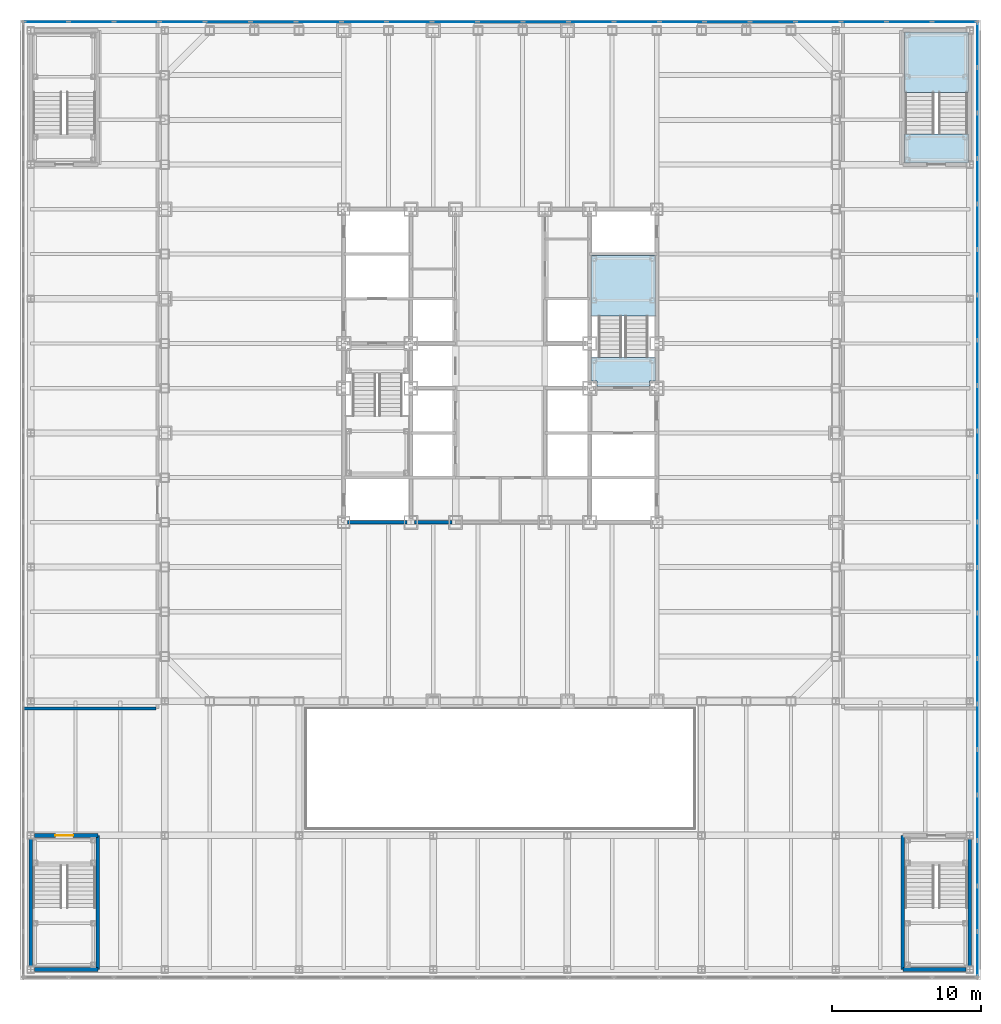
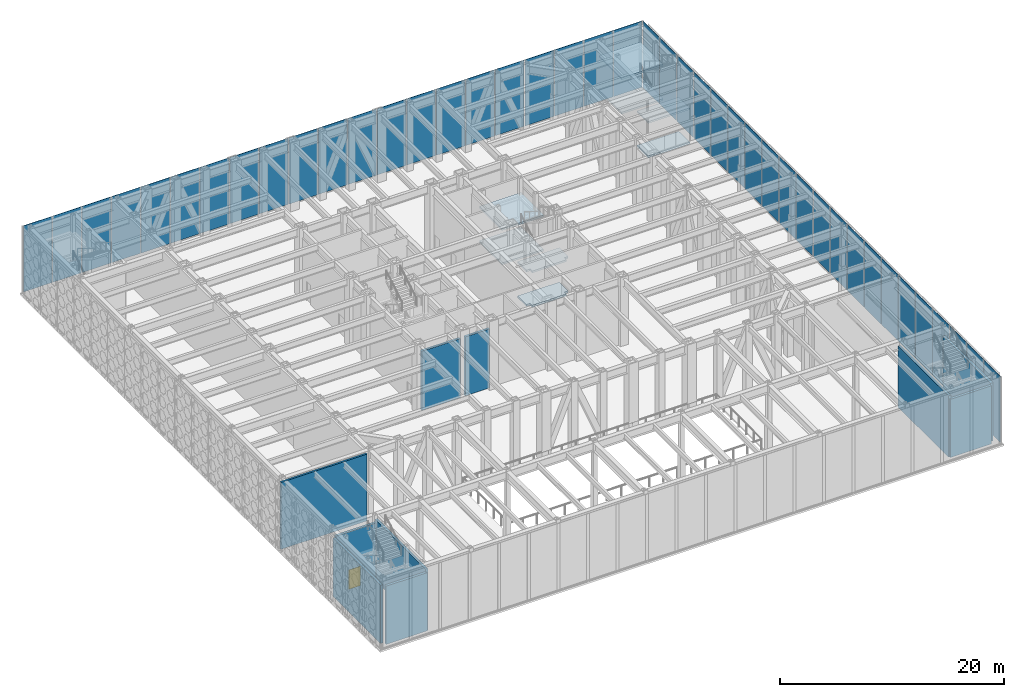
# One storey, part 14 of 34: 42 plates, 10 walls, 8 slabs, 1 door, 1 opening, 4 elements without a shape of their own.
"""IFC4 building model written with IfcOpenShell, lengths in metres."""

from ifc_helpers import new_model, si_unit, direction, frame, frame_2d, origin, origin_2d, place, context, subcontext, project, spatial, polyline, rectangle, outline, extrude, material, layer, layer_set, type_object, element, fill, aggregate, save


model = new_model("IFC4")

# Units and contexts
model_context = context("Model", 3, precision=1e-05, world=origin(), true_north=direction((0.0, 1.0)))
body_context = subcontext(model_context, "Body", "Model", "MODEL_VIEW")
ifc_project = project(units=[si_unit("LENGTHUNIT", "METRE"), si_unit("AREAUNIT", "SQUARE_METRE"), si_unit("VOLUMEUNIT", "CUBIC_METRE"), si_unit("PLANEANGLEUNIT", "RADIAN"), si_unit("MASSUNIT", "GRAM", prefix="KILO")], contexts=[model_context])

# Site, building, storey
site_placement = place(None, origin())
site = spatial("IfcSite", under=ifc_project, at=site_placement, CompositionType="ELEMENT")
building_placement = place(site_placement, origin())
building = spatial("IfcBuilding", under=site, at=building_placement, Name="Chuquiago Exchange Tower", CompositionType="ELEMENT")
storey_placement = place(building_placement, frame((0.0, 0.0, 6.0)))
storey = spatial("IfcBuildingStorey", under=building, at=storey_placement, Name="L01", CompositionType="ELEMENT", Elevation=6.0)

# Curtain wall, plates
ifc_material_1 = material(Name="Aluminium curtain wall system", Category="aluminium")
ifc_layer_1 = layer(ifc_material_1, 0.300048828125)
ifc_layer_set_1 = layer_set([ifc_layer_1], Name="CW4 podium curtain wall")
curtain_wall_type = type_object("IfcCurtainWallType", Name="CW4 podium curtain wall", PredefinedType="NOTDEFINED", material=ifc_layer_set_1)
curtain_wall_1_placement = place(storey_placement, origin())
curtain_wall_1 = element("IfcCurtainWall", 1, at=curtain_wall_1_placement, inside=storey, type_object=curtain_wall_type, Name="CW4 curtain wall L01", PredefinedType="NOTDEFINED")
ifc_material_2 = material(Name="Glass, insulating unit", Category="glass")
ifc_layer_2 = layer(ifc_material_2, 0.035888671875)
ifc_layer_set_2 = layer_set([ifc_layer_2], Name="CW4-P panel 36")
plate_type_1 = type_object("IfcPlateType", Name="CW4-P panel 36", PredefinedType="CURTAIN_PANEL", material=ifc_layer_set_2)
plate_1_placement = place(storey_placement, frame((54.5, -16.95556640625, 0.074951171875), z_axis=(0.0, 0.0, 1.0), x_axis=(0.0, 1.0, 0.0)))
plate_1 = element("IfcPlate", 2, at=plate_1_placement, type_object=plate_type_1, Name="CW4 panel 1.1", PredefinedType="CURTAIN_PANEL", context=body_context, shape_type="SweptSolid", body=[
    extrude(rectangle(XDim=2.938720703125, YDim=0.035888671875, at=origin_2d()), origin(), (0.0, 0.0, 1.0), 7.22509765625),
])
plate_2_placement = place(storey_placement, frame((54.5, -13.923095703125, 0.074951171875), z_axis=(0.0, 0.0, 1.0), x_axis=(0.0, 1.0, 0.0)))
plate_2 = element("IfcPlate", 3, at=plate_2_placement, type_object=plate_type_1, Name="CW4 panel 2.1", PredefinedType="CURTAIN_PANEL", context=body_context, shape_type="SweptSolid", body=[
    extrude(rectangle(XDim=2.97607421875, YDim=0.035888671875, at=origin_2d()), origin(), (0.0, 0.0, 1.0), 7.22509765625),
])
plate_3_placement = place(storey_placement, frame((54.5, -10.8720703125, 0.074951171875), z_axis=(0.0, 0.0, 1.0), x_axis=(0.0, 1.0, 0.0)))
plate_3 = element("IfcPlate", 4, at=plate_3_placement, type_object=plate_type_1, Name="CW4 panel 3.1", PredefinedType="CURTAIN_PANEL", context=body_context, shape_type="SweptSolid", body=[
    extrude(rectangle(XDim=2.97607421875, YDim=0.035888671875, at=origin_2d()), origin(), (0.0, 0.0, 1.0), 7.22509765625),
])
plate_4_placement = place(storey_placement, frame((54.5, -7.82080078125, 0.074951171875), z_axis=(0.0, 0.0, 1.0), x_axis=(0.0, 1.0, 0.0)))
plate_4 = element("IfcPlate", 5, at=plate_4_placement, type_object=plate_type_1, Name="CW4 panel 4.1", PredefinedType="CURTAIN_PANEL", context=body_context, shape_type="SweptSolid", body=[
    extrude(rectangle(XDim=2.97607421875, YDim=0.035888671875, at=origin_2d()), origin(), (0.0, 0.0, 1.0), 7.22509765625),
])
plate_5_placement = place(storey_placement, frame((54.5, -4.76953125, 0.074951171875), z_axis=(0.0, 0.0, 1.0), x_axis=(0.0, 1.0, 0.0)))
plate_5 = element("IfcPlate", 6, at=plate_5_placement, type_object=plate_type_1, Name="CW4 panel 5.1", PredefinedType="CURTAIN_PANEL", context=body_context, shape_type="SweptSolid", body=[
    extrude(rectangle(XDim=2.97607421875, YDim=0.035888671875, at=origin_2d()), origin(), (0.0, 0.0, 1.0), 7.22509765625),
])
plate_6_placement = place(storey_placement, frame((54.5, -1.718505859375, 0.074951171875), z_axis=(0.0, 0.0, 1.0), x_axis=(0.0, 1.0, 0.0)))
plate_6 = element("IfcPlate", 7, at=plate_6_placement, type_object=plate_type_1, Name="CW4 panel 6.1", PredefinedType="CURTAIN_PANEL", context=body_context, shape_type="SweptSolid", body=[
    extrude(rectangle(XDim=2.97607421875, YDim=0.035888671875, at=origin_2d()), origin(), (0.0, 0.0, 1.0), 7.22509765625),
])
plate_7_placement = place(storey_placement, frame((54.5, 1.332763671875, 0.074951171875), z_axis=(0.0, 0.0, 1.0), x_axis=(0.0, 1.0, 0.0)))
plate_7 = element("IfcPlate", 8, at=plate_7_placement, type_object=plate_type_1, Name="CW4 panel 7.1", PredefinedType="CURTAIN_PANEL", context=body_context, shape_type="SweptSolid", body=[
    extrude(rectangle(XDim=2.97607421875, YDim=0.035888671875, at=origin_2d()), origin(), (0.0, 0.0, 1.0), 7.22509765625),
])
plate_8_placement = place(storey_placement, frame((54.5, 4.384033203125, 0.074951171875), z_axis=(0.0, 0.0, 1.0), x_axis=(0.0, 1.0, 0.0)))
plate_8 = element("IfcPlate", 9, at=plate_8_placement, type_object=plate_type_1, Name="CW4 panel 8.1", PredefinedType="CURTAIN_PANEL", context=body_context, shape_type="SweptSolid", body=[
    extrude(rectangle(XDim=2.97607421875, YDim=0.035888671875, at=origin_2d()), origin(), (0.0, 0.0, 1.0), 7.22509765625),
])
plate_9_placement = place(storey_placement, frame((54.5, 7.43505859375, 0.074951171875), z_axis=(0.0, 0.0, 1.0), x_axis=(0.0, 1.0, 0.0)))
plate_9 = element("IfcPlate", 10, at=plate_9_placement, type_object=plate_type_1, Name="CW4 panel 9.1", PredefinedType="CURTAIN_PANEL", context=body_context, shape_type="SweptSolid", body=[
    extrude(rectangle(XDim=2.97607421875, YDim=0.035888671875, at=origin_2d()), origin(), (0.0, 0.0, 1.0), 7.22509765625),
])
plate_10_placement = place(storey_placement, frame((54.5, 10.486328125, 0.074951171875), z_axis=(0.0, 0.0, 1.0), x_axis=(0.0, 1.0, 0.0)))
plate_10 = element("IfcPlate", 11, at=plate_10_placement, type_object=plate_type_1, Name="CW4 panel 10.1", PredefinedType="CURTAIN_PANEL", context=body_context, shape_type="SweptSolid", body=[
    extrude(rectangle(XDim=2.97607421875, YDim=0.035888671875, at=origin_2d()), origin(), (0.0, 0.0, 1.0), 7.22509765625),
])
plate_11_placement = place(storey_placement, frame((54.5, 13.53759765625, 0.074951171875), z_axis=(0.0, 0.0, 1.0), x_axis=(0.0, 1.0, 0.0)))
plate_11 = element("IfcPlate", 12, at=plate_11_placement, type_object=plate_type_1, Name="CW4 panel 11.1", PredefinedType="CURTAIN_PANEL", context=body_context, shape_type="SweptSolid", body=[
    extrude(rectangle(XDim=2.97607421875, YDim=0.035888671875, at=origin_2d()), origin(), (0.0, 0.0, 1.0), 7.22509765625),
])
plate_12_placement = place(storey_placement, frame((54.5, 16.588623046875, 0.074951171875), z_axis=(0.0, 0.0, 1.0), x_axis=(0.0, 1.0, 0.0)))
plate_12 = element("IfcPlate", 13, at=plate_12_placement, type_object=plate_type_1, Name="CW4 panel 12.1", PredefinedType="CURTAIN_PANEL", context=body_context, shape_type="SweptSolid", body=[
    extrude(rectangle(XDim=2.97607421875, YDim=0.035888671875, at=origin_2d()), origin(), (0.0, 0.0, 1.0), 7.22509765625),
])
plate_13_placement = place(storey_placement, frame((54.5, 19.639892578125, 0.074951171875), z_axis=(0.0, 0.0, 1.0), x_axis=(0.0, 1.0, 0.0)))
plate_13 = element("IfcPlate", 14, at=plate_13_placement, type_object=plate_type_1, Name="CW4 panel 13.1", PredefinedType="CURTAIN_PANEL", context=body_context, shape_type="SweptSolid", body=[
    extrude(rectangle(XDim=2.97607421875, YDim=0.035888671875, at=origin_2d()), origin(), (0.0, 0.0, 1.0), 7.22509765625),
])
plate_14_placement = place(storey_placement, frame((54.5, 22.691162109375, 0.074951171875), z_axis=(0.0, 0.0, 1.0), x_axis=(0.0, 1.0, 0.0)))
plate_14 = element("IfcPlate", 15, at=plate_14_placement, type_object=plate_type_1, Name="CW4 panel 14.1", PredefinedType="CURTAIN_PANEL", context=body_context, shape_type="SweptSolid", body=[
    extrude(rectangle(XDim=2.97607421875, YDim=0.035888671875, at=origin_2d()), origin(), (0.0, 0.0, 1.0), 7.22509765625),
])
plate_15_placement = place(storey_placement, frame((54.5, 25.7421875, 0.074951171875), z_axis=(0.0, 0.0, 1.0), x_axis=(0.0, 1.0, 0.0)))
plate_15 = element("IfcPlate", 16, at=plate_15_placement, type_object=plate_type_1, Name="CW4 panel 15.1", PredefinedType="CURTAIN_PANEL", context=body_context, shape_type="SweptSolid", body=[
    extrude(rectangle(XDim=2.97607421875, YDim=0.035888671875, at=origin_2d()), origin(), (0.0, 0.0, 1.0), 7.22509765625),
])
plate_16_placement = place(storey_placement, frame((54.5, 28.79345703125, 0.074951171875), z_axis=(0.0, 0.0, 1.0), x_axis=(0.0, 1.0, 0.0)))
plate_16 = element("IfcPlate", 17, at=plate_16_placement, type_object=plate_type_1, Name="CW4 panel 16.1", PredefinedType="CURTAIN_PANEL", context=body_context, shape_type="SweptSolid", body=[
    extrude(rectangle(XDim=2.97607421875, YDim=0.035888671875, at=origin_2d()), origin(), (0.0, 0.0, 1.0), 7.22509765625),
])
plate_17_placement = place(storey_placement, frame((54.5, 31.8447265625, 0.074951171875), z_axis=(0.0, 0.0, 1.0), x_axis=(0.0, 1.0, 0.0)))
plate_17 = element("IfcPlate", 18, at=plate_17_placement, type_object=plate_type_1, Name="CW4 panel 17.1", PredefinedType="CURTAIN_PANEL", context=body_context, shape_type="SweptSolid", body=[
    extrude(rectangle(XDim=2.97607421875, YDim=0.035888671875, at=origin_2d()), origin(), (0.0, 0.0, 1.0), 7.22509765625),
])
plate_18_placement = place(storey_placement, frame((54.5, 34.895751953125, 0.074951171875), z_axis=(0.0, 0.0, 1.0), x_axis=(0.0, 1.0, 0.0)))
plate_18 = element("IfcPlate", 19, at=plate_18_placement, type_object=plate_type_1, Name="CW4 panel 18.1", PredefinedType="CURTAIN_PANEL", context=body_context, shape_type="SweptSolid", body=[
    extrude(rectangle(XDim=2.97607421875, YDim=0.035888671875, at=origin_2d()), origin(), (0.0, 0.0, 1.0), 7.22509765625),
])
plate_19_placement = place(storey_placement, frame((54.5, 37.947021484375, 0.074951171875), z_axis=(0.0, 0.0, 1.0), x_axis=(0.0, 1.0, 0.0)))
plate_19 = element("IfcPlate", 20, at=plate_19_placement, type_object=plate_type_1, Name="CW4 panel 19.1", PredefinedType="CURTAIN_PANEL", context=body_context, shape_type="SweptSolid", body=[
    extrude(rectangle(XDim=2.97607421875, YDim=0.035888671875, at=origin_2d()), origin(), (0.0, 0.0, 1.0), 7.22509765625),
])
plate_20_placement = place(storey_placement, frame((54.5, 40.998291015625, 0.074951171875), z_axis=(0.0, 0.0, 1.0), x_axis=(0.0, 1.0, 0.0)))
plate_20 = element("IfcPlate", 21, at=plate_20_placement, type_object=plate_type_1, Name="CW4 panel 20.1", PredefinedType="CURTAIN_PANEL", context=body_context, shape_type="SweptSolid", body=[
    extrude(rectangle(XDim=2.97607421875, YDim=0.035888671875, at=origin_2d()), origin(), (0.0, 0.0, 1.0), 7.22509765625),
])
plate_21_placement = place(storey_placement, frame((54.5, 44.03076171875, 0.074951171875), z_axis=(0.0, 0.0, 1.0), x_axis=(0.0, 1.0, 0.0)))
plate_21 = element("IfcPlate", 22, at=plate_21_placement, type_object=plate_type_1, Name="CW4 panel 21.1", PredefinedType="CURTAIN_PANEL", context=body_context, shape_type="SweptSolid", body=[
    extrude(rectangle(XDim=2.938720703125, YDim=0.035888671875, at=origin_2d()), origin(), (0.0, 0.0, 1.0), 7.22509765625),
])
aggregate(curtain_wall_1, [plate_1, plate_2, plate_3, plate_4, plate_5, plate_6, plate_7, plate_8, plate_9, plate_10, plate_11, plate_12, plate_13, plate_14, plate_15, plate_16, plate_17, plate_18, plate_19, plate_20, plate_21])

curtain_wall_2_placement = place(storey_placement, origin())
curtain_wall_2 = element("IfcCurtainWall", 23, at=curtain_wall_2_placement, inside=storey, type_object=curtain_wall_type, Name="CW4 curtain wall L01", PredefinedType="NOTDEFINED")
plate_22_placement = place(storey_placement, frame((52.95751953125, 45.574951171875, 0.074951171875), z_axis=(0.0, 0.0, 1.0), x_axis=(-1.0, 0.0, 0.0)))
plate_22 = element("IfcPlate", 24, at=plate_22_placement, type_object=plate_type_1, Name="CW4 panel 1.1", PredefinedType="CURTAIN_PANEL", context=body_context, shape_type="SweptSolid", body=[
    extrude(rectangle(XDim=2.93505859375, YDim=0.035888671875, at=origin_2d()), origin(), (0.0, 0.0, 1.0), 7.22509765625),
])
plate_23_placement = place(storey_placement, frame((49.928466796875, 45.574951171875, 0.074951171875), z_axis=(0.0, 0.0, 1.0), x_axis=(-1.0, 0.0, 0.0)))
plate_23 = element("IfcPlate", 25, at=plate_23_placement, type_object=plate_type_1, Name="CW4 panel 2.1", PredefinedType="CURTAIN_PANEL", context=body_context, shape_type="SweptSolid", body=[
    extrude(rectangle(XDim=2.97265625, YDim=0.035888671875, at=origin_2d()), origin(), (0.0, 0.0, 1.0), 7.22509765625),
])
plate_24_placement = place(storey_placement, frame((46.880859375, 45.574951171875, 0.074951171875), z_axis=(0.0, 0.0, 1.0), x_axis=(-1.0, 0.0, 0.0)))
plate_24 = element("IfcPlate", 26, at=plate_24_placement, type_object=plate_type_1, Name="CW4 panel 3.1", PredefinedType="CURTAIN_PANEL", context=body_context, shape_type="SweptSolid", body=[
    extrude(rectangle(XDim=2.97265625, YDim=0.035888671875, at=origin_2d()), origin(), (0.0, 0.0, 1.0), 7.22509765625),
])
plate_25_placement = place(storey_placement, frame((43.833251953125, 45.574951171875, 0.074951171875), z_axis=(0.0, 0.0, 1.0), x_axis=(-1.0, 0.0, 0.0)))
plate_25 = element("IfcPlate", 27, at=plate_25_placement, type_object=plate_type_1, Name="CW4 panel 4.1", PredefinedType="CURTAIN_PANEL", context=body_context, shape_type="SweptSolid", body=[
    extrude(rectangle(XDim=2.97265625, YDim=0.035888671875, at=origin_2d()), origin(), (0.0, 0.0, 1.0), 7.22509765625),
])
plate_26_placement = place(storey_placement, frame((31.642822265625, 45.574951171875, 0.074951171875), z_axis=(0.0, 0.0, 1.0), x_axis=(-1.0, 0.0, 0.0)))
plate_26 = element("IfcPlate", 28, at=plate_26_placement, type_object=plate_type_1, Name="CW4 panel 8.1", PredefinedType="CURTAIN_PANEL", context=body_context, shape_type="SweptSolid", body=[
    extrude(rectangle(XDim=2.97265625, YDim=0.035888671875, at=origin_2d()), origin(), (0.0, 0.0, 1.0), 7.22509765625),
])
plate_27_placement = place(storey_placement, frame((28.59521484375, 45.574951171875, 0.074951171875), z_axis=(0.0, 0.0, 1.0), x_axis=(-1.0, 0.0, 0.0)))
plate_27 = element("IfcPlate", 29, at=plate_27_placement, type_object=plate_type_1, Name="CW4 panel 9.1", PredefinedType="CURTAIN_PANEL", context=body_context, shape_type="SweptSolid", body=[
    extrude(rectangle(XDim=2.97265625, YDim=0.035888671875, at=origin_2d()), origin(), (0.0, 0.0, 1.0), 7.22509765625),
])
plate_28_placement = place(storey_placement, frame((19.452392578125, 45.574951171875, 0.074951171875), z_axis=(0.0, 0.0, 1.0), x_axis=(-1.0, 0.0, 0.0)))
plate_28 = element("IfcPlate", 30, at=plate_28_placement, type_object=plate_type_1, Name="CW4 panel 12.1", PredefinedType="CURTAIN_PANEL", context=body_context, shape_type="SweptSolid", body=[
    extrude(rectangle(XDim=2.97265625, YDim=0.035888671875, at=origin_2d()), origin(), (0.0, 0.0, 1.0), 7.22509765625),
])
plate_29_placement = place(storey_placement, frame((16.40478515625, 45.574951171875, 0.074951171875), z_axis=(0.0, 0.0, 1.0), x_axis=(-1.0, 0.0, 0.0)))
plate_29 = element("IfcPlate", 31, at=plate_29_placement, type_object=plate_type_1, Name="CW4 panel 13.1", PredefinedType="CURTAIN_PANEL", context=body_context, shape_type="SweptSolid", body=[
    extrude(rectangle(XDim=2.97265625, YDim=0.035888671875, at=origin_2d()), origin(), (0.0, 0.0, 1.0), 7.22509765625),
])
plate_30_placement = place(storey_placement, frame((13.357177734375, 45.574951171875, 0.074951171875), z_axis=(0.0, 0.0, 1.0), x_axis=(-1.0, 0.0, 0.0)))
plate_30 = element("IfcPlate", 32, at=plate_30_placement, type_object=plate_type_1, Name="CW4 panel 14.1", PredefinedType="CURTAIN_PANEL", context=body_context, shape_type="SweptSolid", body=[
    extrude(rectangle(XDim=2.97265625, YDim=0.035888671875, at=origin_2d()), origin(), (0.0, 0.0, 1.0), 7.22509765625),
])
plate_31_placement = place(storey_placement, frame((1.166748046875, 45.574951171875, 0.074951171875), z_axis=(0.0, 0.0, 1.0), x_axis=(-1.0, 0.0, 0.0)))
plate_31 = element("IfcPlate", 33, at=plate_31_placement, type_object=plate_type_1, Name="CW4 panel 18.1", PredefinedType="CURTAIN_PANEL", context=body_context, shape_type="SweptSolid", body=[
    extrude(rectangle(XDim=2.97265625, YDim=0.035888671875, at=origin_2d()), origin(), (0.0, 0.0, 1.0), 7.22509765625),
])
plate_32_placement = place(storey_placement, frame((-1.880859375, 45.574951171875, 0.074951171875), z_axis=(0.0, 0.0, 1.0), x_axis=(-1.0, 0.0, 0.0)))
plate_32 = element("IfcPlate", 34, at=plate_32_placement, type_object=plate_type_1, Name="CW4 panel 19.1", PredefinedType="CURTAIN_PANEL", context=body_context, shape_type="SweptSolid", body=[
    extrude(rectangle(XDim=2.97265625, YDim=0.035888671875, at=origin_2d()), origin(), (0.0, 0.0, 1.0), 7.22509765625),
])
plate_33_placement = place(storey_placement, frame((-4.928466796875, 45.574951171875, 0.074951171875), z_axis=(0.0, 0.0, 1.0), x_axis=(-1.0, 0.0, 0.0)))
plate_33 = element("IfcPlate", 35, at=plate_33_placement, type_object=plate_type_1, Name="CW4 panel 20.1", PredefinedType="CURTAIN_PANEL", context=body_context, shape_type="SweptSolid", body=[
    extrude(rectangle(XDim=2.97265625, YDim=0.035888671875, at=origin_2d()), origin(), (0.0, 0.0, 1.0), 7.22509765625),
])
plate_34_placement = place(storey_placement, frame((-7.95751953125, 45.574951171875, 0.074951171875), z_axis=(0.0, 0.0, 1.0), x_axis=(-1.0, 0.0, 0.0)))
plate_34 = element("IfcPlate", 36, at=plate_34_placement, type_object=plate_type_1, Name="CW4 panel 21.1", PredefinedType="CURTAIN_PANEL", context=body_context, shape_type="SweptSolid", body=[
    extrude(rectangle(XDim=2.93505859375, YDim=0.035888671875, at=origin_2d()), origin(), (0.0, 0.0, 1.0), 7.22509765625),
])
ifc_material_3 = material(Name="Insulated spandrel panel, pale anodised aluminium", Category="aluminium")
ifc_layer_3 = layer(ifc_material_3, 0.035888671875)
ifc_layer_set_3 = layer_set([ifc_layer_3], Name="CW4-P spandrel panel 36")
plate_type_2 = type_object("IfcPlateType", Name="CW4-P spandrel panel 36", PredefinedType="CURTAIN_PANEL", material=ifc_layer_set_3)
plate_35_placement = place(storey_placement, frame((40.78564453125, 45.574951171875, 0.074951171875), z_axis=(0.0, 0.0, 1.0), x_axis=(-1.0, 0.0, 0.0)))
plate_35 = element("IfcPlate", 37, at=plate_35_placement, type_object=plate_type_2, Name="CW4 panel 5.1", PredefinedType="CURTAIN_PANEL", context=body_context, shape_type="SweptSolid", body=[
    extrude(rectangle(XDim=2.97265625, YDim=0.035888671875, at=origin_2d()), origin(), (0.0, 0.0, 1.0), 7.22509765625),
])
plate_36_placement = place(storey_placement, frame((37.738037109375, 45.574951171875, 0.074951171875), z_axis=(0.0, 0.0, 1.0), x_axis=(-1.0, 0.0, 0.0)))
plate_36 = element("IfcPlate", 38, at=plate_36_placement, type_object=plate_type_2, Name="CW4 panel 6.1", PredefinedType="CURTAIN_PANEL", context=body_context, shape_type="SweptSolid", body=[
    extrude(rectangle(XDim=2.97265625, YDim=0.035888671875, at=origin_2d()), origin(), (0.0, 0.0, 1.0), 7.22509765625),
])
plate_37_placement = place(storey_placement, frame((34.6904296875, 45.574951171875, 0.074951171875), z_axis=(0.0, 0.0, 1.0), x_axis=(-1.0, 0.0, 0.0)))
plate_37 = element("IfcPlate", 39, at=plate_37_placement, type_object=plate_type_2, Name="CW4 panel 7.1", PredefinedType="CURTAIN_PANEL", context=body_context, shape_type="SweptSolid", body=[
    extrude(rectangle(XDim=2.97265625, YDim=0.035888671875, at=origin_2d()), origin(), (0.0, 0.0, 1.0), 7.22509765625),
])
plate_38_placement = place(storey_placement, frame((25.547607421875, 45.574951171875, 0.074951171875), z_axis=(0.0, 0.0, 1.0), x_axis=(-1.0, 0.0, 0.0)))
plate_38 = element("IfcPlate", 40, at=plate_38_placement, type_object=plate_type_2, Name="CW4 panel 10.1", PredefinedType="CURTAIN_PANEL", context=body_context, shape_type="SweptSolid", body=[
    extrude(rectangle(XDim=2.97265625, YDim=0.035888671875, at=origin_2d()), origin(), (0.0, 0.0, 1.0), 7.22509765625),
])
plate_39_placement = place(storey_placement, frame((22.5, 45.574951171875, 0.074951171875), z_axis=(0.0, 0.0, 1.0), x_axis=(-1.0, 0.0, 0.0)))
plate_39 = element("IfcPlate", 41, at=plate_39_placement, type_object=plate_type_2, Name="CW4 panel 11.1", PredefinedType="CURTAIN_PANEL", context=body_context, shape_type="SweptSolid", body=[
    extrude(rectangle(XDim=2.97265625, YDim=0.035888671875, at=origin_2d()), origin(), (0.0, 0.0, 1.0), 7.22509765625),
])
plate_40_placement = place(storey_placement, frame((10.3095703125, 45.574951171875, 0.074951171875), z_axis=(0.0, 0.0, 1.0), x_axis=(-1.0, 0.0, 0.0)))
plate_40 = element("IfcPlate", 42, at=plate_40_placement, type_object=plate_type_2, Name="CW4 panel 15.1", PredefinedType="CURTAIN_PANEL", context=body_context, shape_type="SweptSolid", body=[
    extrude(rectangle(XDim=2.97265625, YDim=0.035888671875, at=origin_2d()), origin(), (0.0, 0.0, 1.0), 7.22509765625),
])
plate_41_placement = place(storey_placement, frame((7.261962890625, 45.574951171875, 0.074951171875), z_axis=(0.0, 0.0, 1.0), x_axis=(-1.0, 0.0, 0.0)))
plate_41 = element("IfcPlate", 43, at=plate_41_placement, type_object=plate_type_2, Name="CW4 panel 16.1", PredefinedType="CURTAIN_PANEL", context=body_context, shape_type="SweptSolid", body=[
    extrude(rectangle(XDim=2.97265625, YDim=0.035888671875, at=origin_2d()), origin(), (0.0, 0.0, 1.0), 7.22509765625),
])
plate_42_placement = place(storey_placement, frame((4.21435546875, 45.574951171875, 0.074951171875), z_axis=(0.0, 0.0, 1.0), x_axis=(-1.0, 0.0, 0.0)))
plate_42 = element("IfcPlate", 44, at=plate_42_placement, type_object=plate_type_2, Name="CW4 panel 17.1", PredefinedType="CURTAIN_PANEL", context=body_context, shape_type="SweptSolid", body=[
    extrude(rectangle(XDim=2.97265625, YDim=0.035888671875, at=origin_2d()), origin(), (0.0, 0.0, 1.0), 7.22509765625),
])
aggregate(curtain_wall_2, [plate_22, plate_23, plate_24, plate_25, plate_35, plate_36, plate_37, plate_26, plate_27, plate_38, plate_39, plate_28, plate_29, plate_30, plate_40, plate_41, plate_42, plate_31, plate_32, plate_33, plate_34])

# Stair, slabs
ifc_material_4 = material(Name="Concrete C30/37, precast", Category="concrete")
stair_type_1 = type_object("IfcStairType", Name="ST2 double half-turn stair 7500", PredefinedType="DOUBLE_RETURN_STAIR", material=ifc_material_4)
stair_1_placement = place(storey_placement, origin())
stair_1 = element("IfcStair", 45, at=stair_1_placement, inside=storey, type_object=stair_type_1, Name="Stair ST2 L01", PredefinedType="DOUBLE_RETURN_STAIR")
ifc_material_5 = material(Name="Concrete C30/37, precast", Category="concrete")
ifc_layer_4 = layer(ifc_material_5, 0.199951171875)
ifc_layer_set_4 = layer_set([ifc_layer_4], Name="ST-L landing 200")
slab_type = type_object("IfcSlabType", Name="ST-L landing 200", PredefinedType="LANDING", material=ifc_layer_set_4)
slab_1_placement = place(storey_placement, frame((0.0, 0.0, -0.199951171875)))
slab_1 = element("IfcSlab", 46, at=slab_1_placement, type_object=slab_type, Name="ST2 landing 1", PredefinedType="LANDING", context=body_context, shape_type="SweptSolid", body=[
    extrude(outline(polyline([(32.52490234375, 21.47509765625), (32.52490234375, 21.10009765625), (28.97509765625, 21.10009765625), (28.97509765625, 21.47509765625), (28.60009765625, 21.47509765625), (28.60009765625, 23.050048828125), (32.89990234375, 23.050048828125), (32.89990234375, 21.47509765625), (32.52490234375, 21.47509765625)])), origin(), (0.0, 0.0, 1.0), 0.199951171875),
])
slab_2_placement = place(storey_placement, frame((0.0, 0.0, 1.675048828125)))
slab_2 = element("IfcSlab", 47, at=slab_2_placement, type_object=slab_type, Name="ST2 landing 2", PredefinedType="LANDING", context=body_context, shape_type="SweptSolid", body=[
    extrude(outline(polyline([(28.60009765625, 29.89990234375), (32.89990234375, 29.89990234375), (32.89990234375, 25.85009765625), (28.60009765625, 25.85009765625), (28.60009765625, 29.89990234375)])), origin(), (0.0, 0.0, 1.0), 0.199951171875),
])
slab_3_placement = place(storey_placement, frame((0.0, 0.0, 3.550048828125)))
slab_3 = element("IfcSlab", 48, at=slab_3_placement, type_object=slab_type, Name="ST2 landing 3", PredefinedType="LANDING", context=body_context, shape_type="SweptSolid", body=[
    extrude(outline(polyline([(32.52490234375, 21.47509765625), (32.52490234375, 21.10009765625), (28.97509765625, 21.10009765625), (28.97509765625, 21.47509765625), (28.60009765625, 21.47509765625), (28.60009765625, 23.050048828125), (32.89990234375, 23.050048828125), (32.89990234375, 21.47509765625), (32.52490234375, 21.47509765625)])), origin(), (0.0, 0.0, 1.0), 0.199951171875),
])
slab_4_placement = place(storey_placement, frame((0.0, 0.0, 5.425048828125)))
slab_4 = element("IfcSlab", 49, at=slab_4_placement, type_object=slab_type, Name="ST2 landing 4", PredefinedType="LANDING", context=body_context, shape_type="SweptSolid", body=[
    extrude(outline(polyline([(28.60009765625, 29.89990234375), (32.89990234375, 29.89990234375), (32.89990234375, 25.85009765625), (28.60009765625, 25.85009765625), (28.60009765625, 29.89990234375)])), origin(), (0.0, 0.0, 1.0), 0.199951171875),
])
aggregate(stair_1, [slab_1, slab_2, slab_3, slab_4])

ifc_material_6 = material(Name="Concrete C30/37, precast", Category="concrete")
stair_type_2 = type_object("IfcStairType", Name="PS4 double half-turn stair 7500", PredefinedType="DOUBLE_RETURN_STAIR", material=ifc_material_6)
stair_2_placement = place(storey_placement, origin())
stair_2 = element("IfcStair", 50, at=stair_2_placement, inside=storey, type_object=stair_type_2, Name="Stair PS4 L01", PredefinedType="DOUBLE_RETURN_STAIR")
slab_5_placement = place(storey_placement, frame((0.0, 0.0, -0.199951171875)))
slab_5 = element("IfcSlab", 51, at=slab_5_placement, type_object=slab_type, Name="PS4 landing 1", PredefinedType="LANDING", context=body_context, shape_type="SweptSolid", body=[
    extrude(outline(polyline([(53.89990234375, 36.10009765625), (53.89990234375, 38.050048828125), (49.60009765625, 38.050048828125), (49.60009765625, 36.10009765625), (53.89990234375, 36.10009765625)])), origin(), (0.0, 0.0, 1.0), 0.199951171875),
])
slab_6_placement = place(storey_placement, frame((0.0, 0.0, 1.675048828125)))
slab_6 = element("IfcSlab", 52, at=slab_6_placement, type_object=slab_type, Name="PS4 landing 2", PredefinedType="LANDING", context=body_context, shape_type="SweptSolid", body=[
    extrude(outline(polyline([(49.60009765625, 44.89990234375), (53.89990234375, 44.89990234375), (53.89990234375, 40.85009765625), (49.60009765625, 40.85009765625), (49.60009765625, 44.89990234375)])), origin(), (0.0, 0.0, 1.0), 0.199951171875),
])
slab_7_placement = place(storey_placement, frame((0.0, 0.0, 3.550048828125)))
slab_7 = element("IfcSlab", 53, at=slab_7_placement, type_object=slab_type, Name="PS4 landing 3", PredefinedType="LANDING", context=body_context, shape_type="SweptSolid", body=[
    extrude(outline(polyline([(49.60009765625, 38.050048828125), (53.89990234375, 38.050048828125), (53.89990234375, 36.10009765625), (49.60009765625, 36.10009765625), (49.60009765625, 38.050048828125)])), origin(), (0.0, 0.0, 1.0), 0.199951171875),
])
slab_8_placement = place(storey_placement, frame((0.0, 0.0, 5.425048828125)))
slab_8 = element("IfcSlab", 54, at=slab_8_placement, type_object=slab_type, Name="PS4 landing 4", PredefinedType="LANDING", context=body_context, shape_type="SweptSolid", body=[
    extrude(outline(polyline([(49.60009765625, 44.89990234375), (53.89990234375, 44.89990234375), (53.89990234375, 40.85009765625), (49.60009765625, 40.85009765625), (49.60009765625, 44.89990234375)])), origin(), (0.0, 0.0, 1.0), 0.199951171875),
])
aggregate(stair_2, [slab_5, slab_6, slab_7, slab_8])

# Walls
ifc_material_7 = material(Name="Concrete masonry, fully grouted", Category="masonry")
ifc_layer_5 = layer(ifc_material_7, 0.25)
ifc_layer_set_5 = layer_set([ifc_layer_5], Name="W1 core wall 250")
wall_type_1 = type_object("IfcWallType", Name="W1 core wall 250", PredefinedType="SOLIDWALL", material=ifc_layer_set_5)
wall_1_placement = place(storey_placement, frame((12.25, 12.0, 0.0), z_axis=(0.0, 0.0, 1.0), x_axis=(1.0, 0.0, 0.0)))
element("IfcWall", 55, at=wall_1_placement, inside=storey, type_object=wall_type_1, Name="CW-L01-01-0", PredefinedType="SOLIDWALL", context=body_context, shape_type="SweptSolid", body=[
    extrude(rectangle(XDim=4.0, YDim=0.25, at=frame_2d((2.0, 0.0))), origin(), (0.0, 0.0, 1.0), 6.44140625),
])
wall_2_placement = place(storey_placement, frame((16.75, 12.0, 0.0), z_axis=(0.0, 0.0, 1.0), x_axis=(1.0, 0.0, 0.0)))
element("IfcWall", 56, at=wall_2_placement, inside=storey, type_object=wall_type_1, Name="CW-L01-01-1", PredefinedType="SOLIDWALL", context=body_context, shape_type="SweptSolid", body=[
    extrude(rectangle(XDim=2.5, YDim=0.25, at=frame_2d((1.25, 0.0))), origin(), (0.0, 0.0, 1.0), 6.44140625),
])
ifc_material_8 = material(Name="Concrete masonry, fully grouted", Category="masonry")
ifc_layer_6 = layer(ifc_material_8, 0.25)
ifc_layer_set_6 = layer_set([ifc_layer_6], Name="W10 podium stair wall 250")
wall_type_2 = type_object("IfcWallType", Name="W10 podium stair wall 250", PredefinedType="SOLIDWALL", material=ifc_layer_set_6)
wall_3_placement = place(storey_placement, frame((-8.75, -18.0, 0.0), z_axis=(0.0, 0.0, 1.0), x_axis=(1.0, 0.0, 0.0)))
element("IfcWall", 57, at=wall_3_placement, inside=storey, type_object=wall_type_2, Name="PSW-L01-PS1-00", PredefinedType="SOLIDWALL", context=body_context, shape_type="SweptSolid", body=[
    extrude(rectangle(XDim=4.25, YDim=0.25, at=frame_2d((2.125, 0.0))), origin(), (0.0, 0.0, 1.0), 6.3525390625),
])
wall_4_placement = place(storey_placement, frame((-4.5, -18.0, 0.0), z_axis=(0.0, 0.0, 1.0), x_axis=(0.0, 1.0, 0.0)))
element("IfcWall", 58, at=wall_4_placement, inside=storey, type_object=wall_type_2, Name="PSW-L01-PS1-10", PredefinedType="SOLIDWALL", context=body_context, shape_type="SweptSolid", body=[
    extrude(rectangle(XDim=9.0, YDim=0.25, at=frame_2d((4.5, 0.0))), origin(), (0.0, 0.0, 1.0), 6.697998046875),
])

# Wall, opening, door
wall_5_placement = place(storey_placement, frame((-8.75, -9.0, 0.0), z_axis=(0.0, 0.0, 1.0), x_axis=(1.0, 0.0, 0.0)))
wall_5 = element("IfcWall", 59, at=wall_5_placement, inside=storey, type_object=wall_type_2, Name="PSW-L01-PS1-20", PredefinedType="SOLIDWALL", context=body_context, shape_type="SweptSolid", body=[
    extrude(rectangle(XDim=4.25, YDim=0.25, at=frame_2d((2.125, 0.0))), origin(), (0.0, 0.0, 1.0), 6.3525390625),
])
opening_placement = place(wall_5_placement, frame((1.39990234375, 0.0, 0.0)))
opening = element("IfcOpeningElement", 60, at=opening_placement, cuts=wall_5, Name="Opening L01-023", PredefinedType="OPENING", context=body_context, shape_type="SweptSolid", body=[
    extrude(rectangle(XDim=1.199951171875, YDim=2.10009765625, at=frame_2d((0.60009765625, 1.050048828125))), frame((0.0, 0.135009765625, 0.0), z_axis=(0.0, -1.0, 0.0), x_axis=(1.0, 0.0, 0.0)), (0.0, 0.0, 1.0), 0.27001953125),
])
ifc_material_9 = material(Name="Steel door, painted", Category="steel")
door_type = type_object("IfcDoorType", Name="D4 stair door 1200x2100", OperationType="SINGLE_SWING_LEFT", PredefinedType="DOOR", material=ifc_material_9)
door_placement = place(opening_placement, frame((1.199951171875, 0.0, 0.0), z_axis=(0.0, 0.0, 1.0), x_axis=(-1.0, 0.0, 0.0)))
door = element("IfcDoor", 61, at=door_placement, inside=storey, type_object=door_type, Name="Stair PS1 door", OperationType="SINGLE_SWING_LEFT", OverallHeight=2.10009765625, OverallWidth=1.199951171875, PredefinedType="DOOR", context=body_context, shape_type="SweptSolid", body=[
    extrude(rectangle(XDim=1.199951171875, YDim=2.10009765625, at=frame_2d((0.60009765625, 1.050048828125))), frame((0.0, 0.02490234375, 0.0), z_axis=(0.0, -1.0, 0.0), x_axis=(1.0, 0.0, 0.0)), (0.0, 0.0, 1.0), 0.050048828125),
])
fill(opening, door)

# Walls
wall_6_placement = place(storey_placement, frame((-9.0, -17.75, 0.0), z_axis=(0.0, 0.0, 1.0), x_axis=(0.0, 1.0, 0.0)))
element("IfcWall", 62, at=wall_6_placement, inside=storey, type_object=wall_type_2, Name="PSW-L01-PS1-30", PredefinedType="SOLIDWALL", context=body_context, shape_type="SweptSolid", body=[
    extrude(rectangle(XDim=8.5, YDim=0.25, at=frame_2d((4.25, 0.0))), origin(), (0.0, 0.0, 1.0), 6.3525390625),
])
wall_7_placement = place(storey_placement, frame((49.5, -18.0, 0.0), z_axis=(0.0, 0.0, 1.0), x_axis=(1.0, 0.0, 0.0)))
element("IfcWall", 63, at=wall_7_placement, inside=storey, type_object=wall_type_2, Name="PSW-L01-PS2-00", PredefinedType="SOLIDWALL", context=body_context, shape_type="SweptSolid", body=[
    extrude(rectangle(XDim=4.25, YDim=0.25, at=frame_2d((2.125, 0.0))), origin(), (0.0, 0.0, 1.0), 6.3525390625),
])
wall_8_placement = place(storey_placement, frame((54.0, -17.75, 0.0), z_axis=(0.0, 0.0, 1.0), x_axis=(0.0, 1.0, 0.0)))
element("IfcWall", 64, at=wall_8_placement, inside=storey, type_object=wall_type_2, Name="PSW-L01-PS2-10", PredefinedType="SOLIDWALL", context=body_context, shape_type="SweptSolid", body=[
    extrude(rectangle(XDim=8.5, YDim=0.25, at=frame_2d((4.25, 0.0))), origin(), (0.0, 0.0, 1.0), 6.3525390625),
])
wall_9_placement = place(storey_placement, frame((49.5, -18.0, 0.0), z_axis=(0.0, 0.0, 1.0), x_axis=(0.0, 1.0, 0.0)))
element("IfcWall", 65, at=wall_9_placement, inside=storey, type_object=wall_type_2, Name="PSW-L01-PS2-30", PredefinedType="SOLIDWALL", context=body_context, shape_type="SweptSolid", body=[
    extrude(rectangle(XDim=9.0, YDim=0.25, at=frame_2d((4.5, 0.0))), origin(), (0.0, 0.0, 1.0), 6.697998046875),
])
ifc_material_10 = material(Name="Gypsum board on steel studs, double layer", Category="steel")
ifc_layer_7 = layer(ifc_material_10, 0.199951171875)
ifc_layer_set_7 = layer_set([ifc_layer_7], Name="W6 wing partition 200")
wall_type_3 = type_object("IfcWallType", Name="W6 wing partition 200", PredefinedType="PARTITIONING", material=ifc_layer_set_7)
wall_10_placement = place(storey_placement, frame((-9.468017578125, -0.5, 0.0), z_axis=(0.0, 0.0, 1.0), x_axis=(1.0, 0.0, 0.0)))
element("IfcWall", 66, at=wall_10_placement, inside=storey, type_object=wall_type_3, Name="WW-L01-SW", PredefinedType="PARTITIONING", context=body_context, shape_type="SweptSolid", body=[
    extrude(rectangle(XDim=8.867919921875, YDim=0.199951171875, at=frame_2d((4.43408203125, 0.0))), origin(), (0.0, 0.0, 1.0), 7.300048828125),
])

save(model, "model.ifc")
